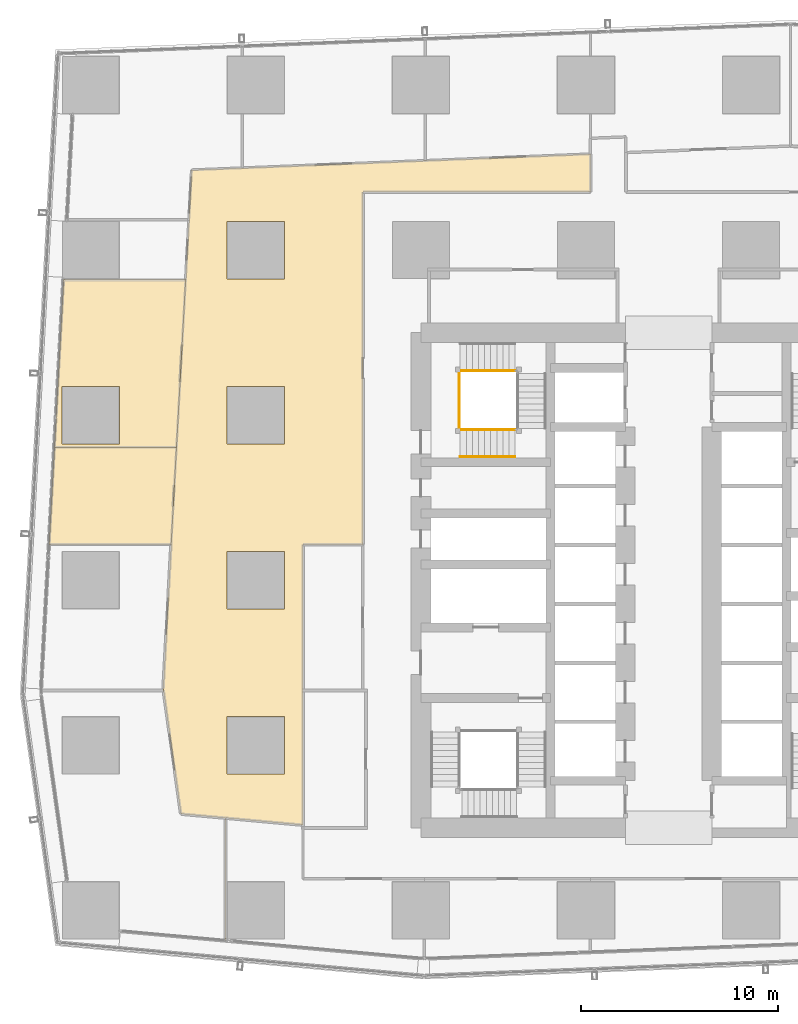
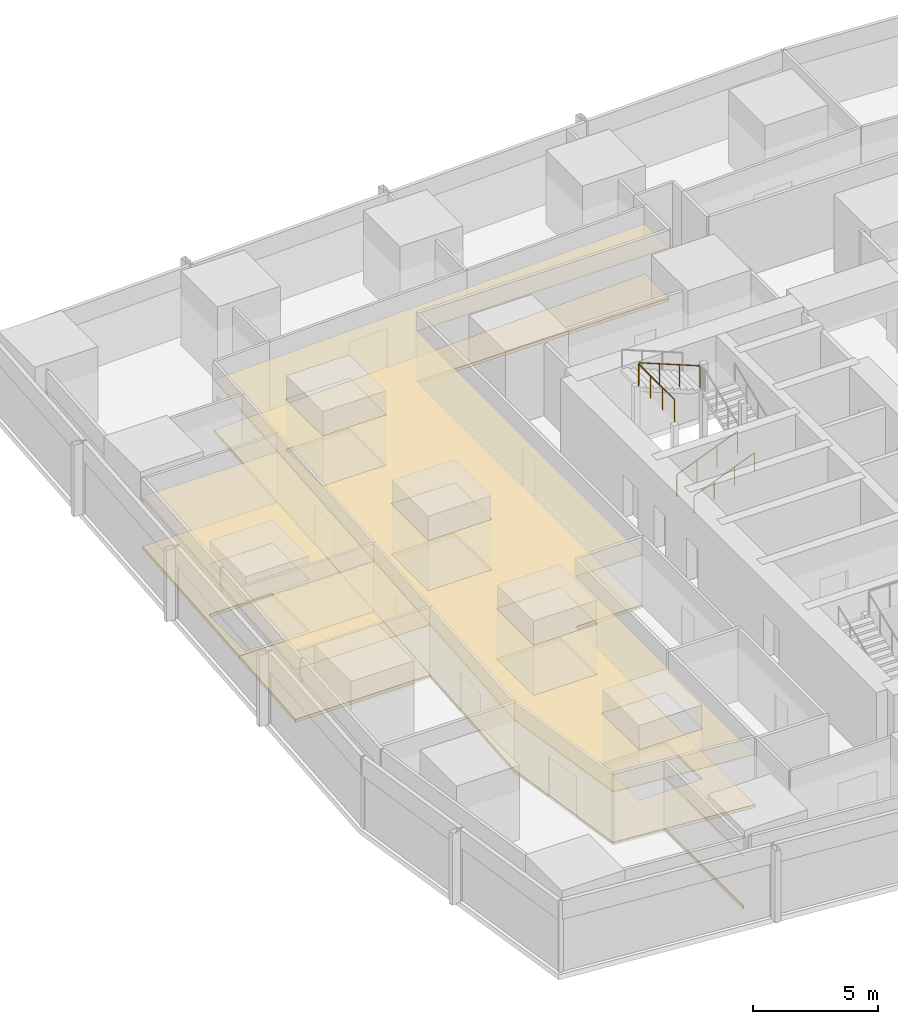
# One storey, part 35 of 40: 6 coverings, 4 railings.
"""IFC4 building model written with IfcOpenShell, lengths in metres."""

from ifc_helpers import new_model, si_unit, direction, frame, origin, origin_2d, place, context, subcontext, project, spatial, polyline, circle, outline, extrude, material, layer, layer_set, type_object, element, save


model = new_model("IFC4")

# Units and contexts
model_context = context("Model", 3, precision=1e-05, world=origin(), true_north=direction((0.0, 1.0)))
body_context = subcontext(model_context, "Body", "Model", "MODEL_VIEW")
ifc_project = project(units=[si_unit("LENGTHUNIT", "METRE"), si_unit("AREAUNIT", "SQUARE_METRE"), si_unit("VOLUMEUNIT", "CUBIC_METRE"), si_unit("PLANEANGLEUNIT", "RADIAN"), si_unit("MASSUNIT", "GRAM", prefix="KILO")], contexts=[model_context])

# Site, building, storey
site_placement = place(None, origin())
site = spatial("IfcSite", under=ifc_project, at=site_placement, CompositionType="ELEMENT")
building_placement = place(site_placement, origin())
building = spatial("IfcBuilding", under=site, at=building_placement, Name="Rekha Terrace Tower", CompositionType="ELEMENT")
storey_placement = place(building_placement, frame((0.0, 0.0, 95.300048828125)))
storey = spatial("IfcBuildingStorey", under=building, at=storey_placement, Name="L23", CompositionType="ELEMENT", Elevation=95.300048828125)

# Coverings
ifc_material_1 = material(Name="Mineral fibre tile in exposed grid", Category="finish")
ifc_layer_1 = layer(ifc_material_1, 0.02001953125)
ifc_layer_set_1 = layer_set([ifc_layer_1], Name="Mineral fibre tile in exposed grid")
covering_type_1 = type_object("IfcCoveringType", Name="CL1 600x1200 office grid ceiling", PredefinedType="CEILING", material=ifc_layer_set_1)
covering_1_placement = place(storey_placement, frame((0.0, 0.0, 2.579833984375)))
element("IfcCovering", 1, at=covering_1_placement, inside=storey, type_object=covering_type_1, Name="Ceiling L23-11", PredefinedType="CEILING", context=body_context, shape_type="SweptSolid", body=[
    extrude(outline(polyline([(13.22900390625, 48.89306640625), (7.02001953125, 48.89306640625), (6.552001953125, 40.35791015625), (12.760986328125, 40.35791015625), (13.22900390625, 48.89306640625)]), holes=[polyline([(9.864990234375, 40.534912109375), (6.93505859375, 40.534912109375), (6.93505859375, 43.465087890625), (9.864990234375, 43.465087890625), (9.864990234375, 40.534912109375)])]), origin(), (0.0, 0.0, 1.0), 0.02001953125),
])
covering_2_placement = place(storey_placement, frame((0.0, 0.0, 2.579833984375)))
element("IfcCovering", 2, at=covering_2_placement, inside=storey, type_object=covering_type_1, Name="Ceiling L23-12", PredefinedType="CEILING", context=body_context, shape_type="SweptSolid", body=[
    extrude(outline(polyline([(12.760986328125, 40.35693359375), (6.552001953125, 40.35693359375), (6.281005859375, 35.422119140625), (12.489990234375, 35.422119140625), (12.760986328125, 40.35693359375)])), origin(), (0.0, 0.0, 1.0), 0.02001953125),
])
covering_3_placement = place(storey_placement, frame((0.0, 0.0, 2.579833984375)))
element("IfcCovering", 3, at=covering_3_placement, inside=storey, type_object=covering_type_1, Name="Ceiling L23-O1b", PredefinedType="CEILING", context=body_context, shape_type="SweptSolid", body=[
    extrude(outline(polyline([(12.087890625, 28.0791015625), (12.09912109375, 28.0), (12.986083984375, 21.7099609375), (15.25, 21.5048828125), (15.25, 15.279052734375), (15.2900390625, 15.27490234375), (15.2900390625, 21.5009765625), (19.199951171875, 21.14599609375), (19.199951171875, 35.422119140625), (22.25, 35.422119140625), (22.25, 53.35009765625), (33.825927734375, 53.35009765625), (33.825927734375, 55.285888671875), (25.39794921875, 54.947998046875), (16.0859375, 54.574951171875), (13.534912109375, 54.472900390625), (13.39404296875, 51.906982421875), (13.22900390625, 48.89306640625), (12.760986328125, 40.35693359375), (12.489990234375, 35.4189453125), (12.087890625, 28.0791015625)]), holes=[polyline([(18.264892578125, 26.6650390625), (18.264892578125, 23.735107421875), (15.3349609375, 23.735107421875), (15.3349609375, 26.6650390625), (18.264892578125, 26.6650390625)]), polyline([(18.264892578125, 35.06494140625), (18.264892578125, 32.135009765625), (15.3349609375, 32.135009765625), (15.3349609375, 35.06494140625), (18.264892578125, 35.06494140625)]), polyline([(18.264892578125, 40.534912109375), (15.3349609375, 40.534912109375), (15.3349609375, 43.465087890625), (18.264892578125, 43.465087890625), (18.264892578125, 40.534912109375)]), polyline([(18.264892578125, 48.93505859375), (15.3349609375, 48.93505859375), (15.3349609375, 51.864990234375), (18.264892578125, 51.864990234375), (18.264892578125, 48.93505859375)])]), origin(), (0.0, 0.0, 1.0), 0.02001953125),
])

# Railings
ifc_material_2 = material(Name="Stainless steel balustrade", Category="steel")
railing_type_1 = type_object("IfcRailingType", Name="GR1 1100 stair guard", PredefinedType="GUARDRAIL", material=ifc_material_2)
railing_1_placement = place(storey_placement, frame((27.199951171875, 41.264892578125, 0.125)))
element("IfcRailing", 4, at=railing_1_placement, inside=storey, type_object=railing_type_1, Name="Guard ST4 L23 flight 1", PredefinedType="GUARDRAIL", context=body_context, shape_type="SweptSolid", body=[
    extrude(circle(Radius=0.02392578125, at=origin_2d()), frame((0.0, 0.0, 1.076171875), z_axis=(0.927443287984, 0.0, 0.373963831907), x_axis=(0.0, 1.0, 0.0)), (0.0, 0.0, 1.0), 3.00830078125),
    extrude(circle(Radius=0.02099609375, at=origin_2d()), origin(), (0.0, 0.0, 1.0), 1.052001953125),
    extrude(circle(Radius=0.02099609375, at=origin_2d()), frame((0.929931640625, 0.0, 0.375)), (0.0, 0.0, 1.0), 1.052001953125),
    extrude(circle(Radius=0.02099609375, at=origin_2d()), frame((1.860107421875, 0.0, 0.75)), (0.0, 0.0, 1.0), 1.052001953125),
    extrude(circle(Radius=0.02099609375, at=origin_2d()), frame((2.7900390625, 0.0, 1.125)), (0.0, 0.0, 1.0), 1.052001953125),
])
railing_2_placement = place(storey_placement, frame((29.989990234375, 44.260009765625, 2.625)))
element("IfcRailing", 5, at=railing_2_placement, inside=storey, type_object=railing_type_1, Name="Guard ST4 L23 flight 3", PredefinedType="GUARDRAIL", context=body_context, shape_type="SweptSolid", body=[
    extrude(circle(Radius=0.02392578125, at=origin_2d()), frame((0.0, 0.0, 1.076171875), z_axis=(-0.927443287984, 0.0, 0.373963831907), x_axis=(0.0, -1.0, 0.0)), (0.0, 0.0, 1.0), 3.00830078125),
    extrude(circle(Radius=0.02099609375, at=origin_2d()), origin(), (0.0, 0.0, 1.0), 1.052001953125),
    extrude(circle(Radius=0.02099609375, at=origin_2d()), frame((-0.929931640625, 0.0, 0.375)), (0.0, 0.0, 1.0), 1.052001953125),
    extrude(circle(Radius=0.02099609375, at=origin_2d()), frame((-1.860107421875, 0.0, 0.75)), (0.0, 0.0, 1.0), 1.052001953125),
    extrude(circle(Radius=0.02099609375, at=origin_2d()), frame((-2.7900390625, 0.0, 1.125)), (0.0, 0.0, 1.0), 1.052001953125),
])
railing_3_placement = place(storey_placement, frame((27.139892578125, 41.324951171875, 3.75)))
element("IfcRailing", 6, at=railing_3_placement, inside=storey, type_object=railing_type_1, Name="Guard ST4 L23 landing 4", PredefinedType="GUARDRAIL", context=body_context, shape_type="SweptSolid", body=[
    extrude(circle(Radius=0.02392578125, at=origin_2d()), frame((0.0, 0.0, 1.076171875), z_axis=(0.0, 1.0, 0.0), x_axis=(-1.0, 0.0, 0.0)), (0.0, 0.0, 1.0), 2.875),
    extrude(circle(Radius=0.02099609375, at=origin_2d()), origin(), (0.0, 0.0, 1.0), 1.052001953125),
    extrude(circle(Radius=0.02099609375, at=origin_2d()), frame((0.0, 0.958251953125, 0.0)), (0.0, 0.0, 1.0), 1.052001953125),
    extrude(circle(Radius=0.02099609375, at=origin_2d()), frame((0.0, 1.916748046875, 0.0)), (0.0, 0.0, 1.0), 1.052001953125),
    extrude(circle(Radius=0.02099609375, at=origin_2d()), frame((0.0, 2.875, 0.0)), (0.0, 0.0, 1.0), 1.052001953125),
])
ifc_material_3 = material(Name="Stainless steel tube", Category="steel")
railing_type_2 = type_object("IfcRailingType", Name="HR1 900 stair handrail", PredefinedType="HANDRAIL", material=ifc_material_3)
railing_4_placement = place(storey_placement, frame((27.199951171875, 39.885009765625, 0.125)))
element("IfcRailing", 7, at=railing_4_placement, inside=storey, type_object=railing_type_2, Name="Handrail ST4 L23 flight 1", PredefinedType="HANDRAIL", context=body_context, shape_type="SweptSolid", body=[
    extrude(circle(Radius=0.02392578125, at=origin_2d()), frame((0.0, 0.0, 0.8759765625), z_axis=(0.927443287984, 0.0, 0.373963831907), x_axis=(0.0, 1.0, 0.0)), (0.0, 0.0, 1.0), 3.00830078125),
    extrude(circle(Radius=0.02099609375, at=origin_2d()), origin(), (0.0, 0.0, 1.0), 0.851806640625),
    extrude(circle(Radius=0.02099609375, at=origin_2d()), frame((0.929931640625, 0.0, 0.375)), (0.0, 0.0, 1.0), 0.851806640625),
    extrude(circle(Radius=0.02099609375, at=origin_2d()), frame((1.860107421875, 0.0, 0.75)), (0.0, 0.0, 1.0), 0.851806640625),
    extrude(circle(Radius=0.02099609375, at=origin_2d()), frame((2.7900390625, 0.0, 1.125)), (0.0, 0.0, 1.0), 0.851806640625),
])

# Coverings
ifc_material_4 = material(Name="Calcium sulphate panels on steel pedestals", Category="steel")
ifc_layer_2 = layer(ifc_material_4, 0.14990234375)
ifc_layer_set_2 = layer_set([ifc_layer_2], Name="Calcium sulphate panels on steel pedestals")
covering_type_2 = type_object("IfcCoveringType", Name="RF1 150 raised access floor", PredefinedType="FLOORING", material=ifc_layer_set_2)
covering_4_placement = place(storey_placement, origin())
element("IfcCovering", 8, at=covering_4_placement, inside=storey, type_object=covering_type_2, Name="Raised floor L23-11", PredefinedType="FLOORING", context=body_context, shape_type="SweptSolid", body=[
    extrude(outline(polyline([(13.22900390625, 48.89306640625), (7.02001953125, 48.89306640625), (6.552001953125, 40.35791015625), (12.760986328125, 40.35791015625), (13.22900390625, 48.89306640625)]), holes=[polyline([(9.864990234375, 40.534912109375), (6.93505859375, 40.534912109375), (6.93505859375, 43.465087890625), (9.864990234375, 43.465087890625), (9.864990234375, 40.534912109375)])]), origin(), (0.0, 0.0, 1.0), 0.14990234375),
])
covering_5_placement = place(storey_placement, origin())
element("IfcCovering", 9, at=covering_5_placement, inside=storey, type_object=covering_type_2, Name="Raised floor L23-12", PredefinedType="FLOORING", context=body_context, shape_type="SweptSolid", body=[
    extrude(outline(polyline([(12.760986328125, 40.35693359375), (6.552001953125, 40.35693359375), (6.281005859375, 35.422119140625), (12.489990234375, 35.422119140625), (12.760986328125, 40.35693359375)])), origin(), (0.0, 0.0, 1.0), 0.14990234375),
])
covering_6_placement = place(storey_placement, origin())
element("IfcCovering", 10, at=covering_6_placement, inside=storey, type_object=covering_type_2, Name="Raised floor L23-O1b", PredefinedType="FLOORING", context=body_context, shape_type="SweptSolid", body=[
    extrude(outline(polyline([(12.087890625, 28.0791015625), (12.09912109375, 28.0), (12.986083984375, 21.7099609375), (15.25, 21.5048828125), (15.25, 15.279052734375), (15.2900390625, 15.27490234375), (15.2900390625, 21.5009765625), (19.199951171875, 21.14599609375), (19.199951171875, 35.422119140625), (22.25, 35.422119140625), (22.25, 53.35009765625), (33.825927734375, 53.35009765625), (33.825927734375, 55.285888671875), (25.39794921875, 54.947998046875), (16.0859375, 54.574951171875), (13.534912109375, 54.472900390625), (13.39404296875, 51.906982421875), (13.22900390625, 48.89306640625), (12.760986328125, 40.35693359375), (12.489990234375, 35.4189453125), (12.087890625, 28.0791015625)]), holes=[polyline([(18.264892578125, 26.6650390625), (18.264892578125, 23.735107421875), (15.3349609375, 23.735107421875), (15.3349609375, 26.6650390625), (18.264892578125, 26.6650390625)]), polyline([(18.264892578125, 35.06494140625), (18.264892578125, 32.135009765625), (15.3349609375, 32.135009765625), (15.3349609375, 35.06494140625), (18.264892578125, 35.06494140625)]), polyline([(18.264892578125, 40.534912109375), (15.3349609375, 40.534912109375), (15.3349609375, 43.465087890625), (18.264892578125, 43.465087890625), (18.264892578125, 40.534912109375)]), polyline([(18.264892578125, 48.93505859375), (15.3349609375, 48.93505859375), (15.3349609375, 51.864990234375), (18.264892578125, 51.864990234375), (18.264892578125, 48.93505859375)])]), origin(), (0.0, 0.0, 1.0), 0.14990234375),
])

save(model, "model.ifc")
